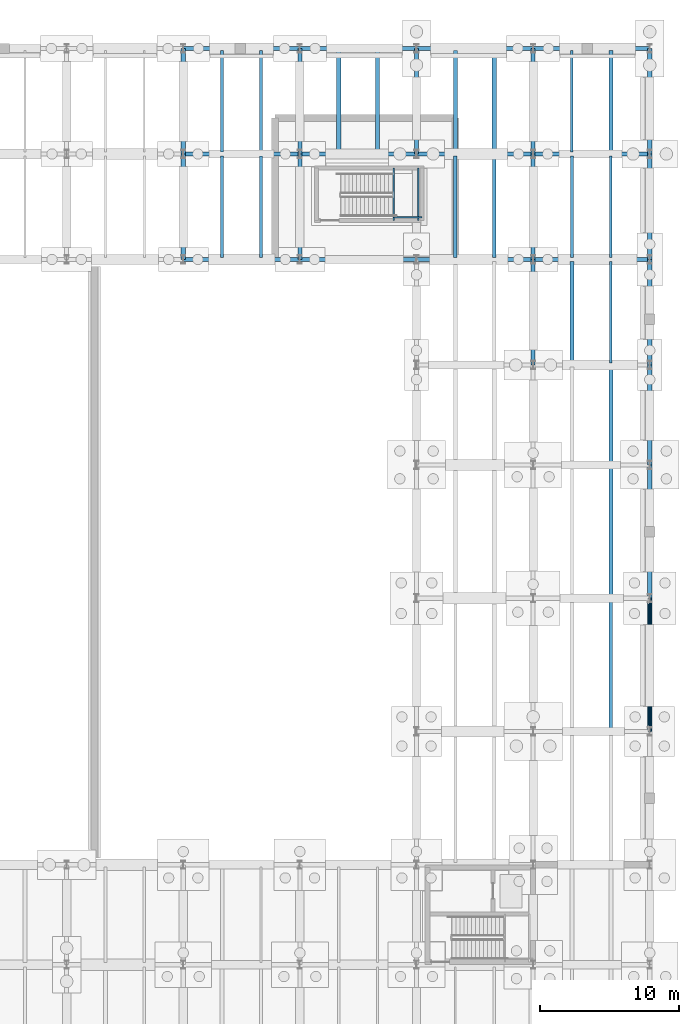
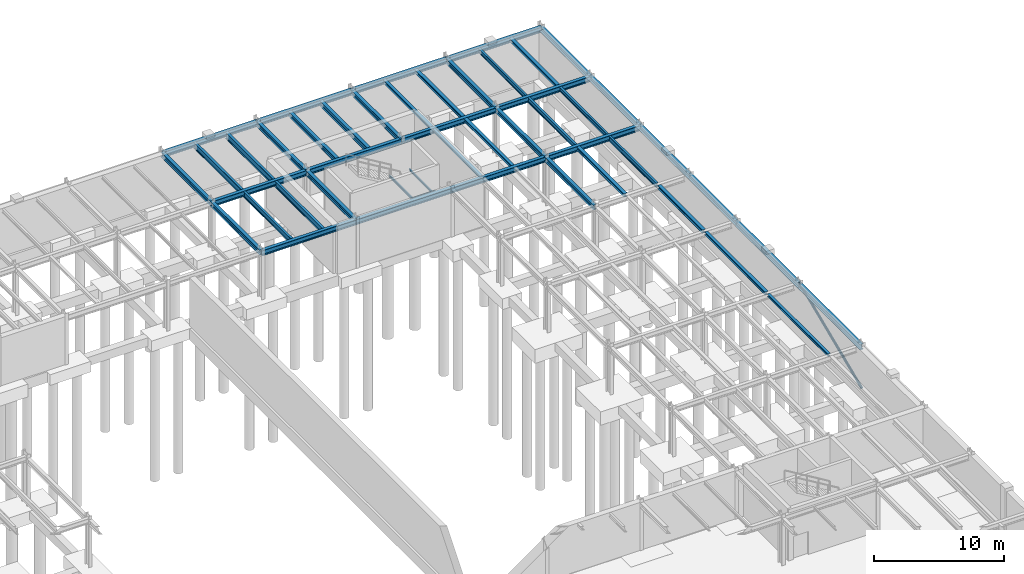
# One storey, part 37 of 59: 48 beams, 1 member.
"""IFC4 building model written with IfcOpenShell, lengths in metres."""

from ifc_helpers import new_model, si_unit, direction, frame, origin, origin_2d, place, context, subcontext, project, spatial, hollow_circle, i_section, extrude, material, material_profile, profile_set, type_object, element, save


model = new_model("IFC4")

# Units and contexts
model_context = context("Model", 3, precision=1e-05, world=origin(), true_north=direction((0.0, 1.0)))
body_context = subcontext(model_context, "Body", "Model", "MODEL_VIEW")
ifc_project = project(units=[si_unit("LENGTHUNIT", "METRE"), si_unit("AREAUNIT", "SQUARE_METRE"), si_unit("VOLUMEUNIT", "CUBIC_METRE"), si_unit("PLANEANGLEUNIT", "RADIAN"), si_unit("MASSUNIT", "GRAM", prefix="KILO")], contexts=[model_context])

# Site, building, storey
site_placement = place(None, origin())
site = spatial("IfcSite", under=ifc_project, at=site_placement, CompositionType="ELEMENT")
building_placement = place(site_placement, origin())
building = spatial("IfcBuilding", under=site, at=building_placement, Name="Montealbar Specialist Clinic", CompositionType="ELEMENT")
storey_placement = place(building_placement, frame((0.0, 0.0, -4.800048828125)))
storey = spatial("IfcBuildingStorey", under=building, at=storey_placement, Name="B01", CompositionType="ELEMENT", Elevation=-4.800048828125)

# Beams
ifc_material = material(Name="Steel S355", Category="steel")
ifc_material_profile_1 = material_profile(ifc_material, i_section(OverallWidth=0.300048828125, OverallDepth=0.449951171875, WebThickness=0.013916015625, FlangeThickness=0.02587890625, FilletRadius=0.027099609375, at=origin_2d()), Name="HEB 450", Category="steel")
ifc_profile_set_1 = profile_set([ifc_material_profile_1], Name="Steel S355")
beam_type_1 = type_object("IfcBeamType", Name="BM-GIRD-HEB450", PredefinedType="BEAM", material=ifc_profile_set_1)
beam_1_placement = place(storey_placement, frame((128.39990234375, 95.800048828125, 4.255126953125), z_axis=(0.0, 1.0, 0.0), x_axis=(-1.0, 0.0, 0.0)))
element("IfcBeam", 1, at=beam_1_placement, inside=storey, type_object=beam_type_1, Name="Beam GY-B01-1284-958-1034", PredefinedType="BEAM", context=body_context, shape_type="SweptSolid", body=[
    extrude(i_section(OverallWidth=0.300048828125, OverallDepth=0.449951171875, WebThickness=0.013916015625, FlangeThickness=0.02587890625, FilletRadius=0.027099609375, at=origin_2d()), origin(), (0.0, 0.0, 1.0), 7.599853515625),
])
beam_2_placement = place(storey_placement, frame((128.39990234375, 103.39990234375, 4.255126953125), z_axis=(0.0, 1.0, 0.0), x_axis=(-1.0, 0.0, 0.0)))
element("IfcBeam", 2, at=beam_2_placement, inside=storey, type_object=beam_type_1, Name="Beam GY-B01-1284-1034-1110", PredefinedType="BEAM", context=body_context, shape_type="SweptSolid", body=[
    extrude(i_section(OverallWidth=0.300048828125, OverallDepth=0.449951171875, WebThickness=0.013916015625, FlangeThickness=0.02587890625, FilletRadius=0.027099609375, at=origin_2d()), origin(), (0.0, 0.0, 1.0), 7.60009765625),
])
beam_3_placement = place(storey_placement, frame((136.800048828125, 95.800048828125, 4.255126953125), z_axis=(0.0, 1.0, 0.0), x_axis=(-1.0, 0.0, 0.0)))
element("IfcBeam", 3, at=beam_3_placement, inside=storey, type_object=beam_type_1, Name="Beam GY-B01-1368-958-1034", PredefinedType="BEAM", context=body_context, shape_type="SweptSolid", body=[
    extrude(i_section(OverallWidth=0.300048828125, OverallDepth=0.449951171875, WebThickness=0.013916015625, FlangeThickness=0.02587890625, FilletRadius=0.027099609375, at=origin_2d()), origin(), (0.0, 0.0, 1.0), 7.599853515625),
])
for number, where, z_axis, x_axis, name in (
    (4, (136.800048828125, 103.39990234375, 4.255126953125), (0.0, 1.0, 0.0), (-1.0, 0.0, 0.0), "Beam GY-B01-1368-1034-1110"),
    (5, (145.199951171875, 103.39990234375, 4.255126953125), (0.0, 1.0, 0.0), (-1.0, 0.0, 0.0), "Beam GY-B01-1452-1034-1110"),
    (6, (153.60009765625, 88.199951171875, 4.255126953125), (0.0, 1.0, 0.0), (-1.0, 0.0, 0.0), "Beam GY-B01-1536-882-958"),
):
    element("IfcBeam", number, at=place(storey_placement, frame(where, z_axis=z_axis, x_axis=x_axis)), inside=storey, type_object=beam_type_1, Name=name, PredefinedType="BEAM", context=body_context, shape_type="SweptSolid", body=[
        extrude(i_section(OverallWidth=0.300048828125, OverallDepth=0.449951171875, WebThickness=0.013916015625, FlangeThickness=0.02587890625, FilletRadius=0.027099609375, at=origin_2d()), origin(), (0.0, 0.0, 1.0), 7.60009765625),
    ])
beam_4_placement = place(storey_placement, frame((153.60009765625, 95.800048828125, 4.255126953125), z_axis=(0.0, 1.0, 0.0), x_axis=(-1.0, 0.0, 0.0)))
element("IfcBeam", 7, at=beam_4_placement, inside=storey, type_object=beam_type_1, Name="Beam GY-B01-1536-958-1034", PredefinedType="BEAM", context=body_context, shape_type="SweptSolid", body=[
    extrude(i_section(OverallWidth=0.300048828125, OverallDepth=0.449951171875, WebThickness=0.013916015625, FlangeThickness=0.02587890625, FilletRadius=0.027099609375, at=origin_2d()), origin(), (0.0, 0.0, 1.0), 7.599853515625),
])
beam_5_placement = place(storey_placement, frame((153.60009765625, 103.39990234375, 4.255126953125), z_axis=(0.0, 1.0, 0.0), x_axis=(-1.0, 0.0, 0.0)))
element("IfcBeam", 8, at=beam_5_placement, inside=storey, type_object=beam_type_1, Name="Beam GY-B01-1536-1034-1110", PredefinedType="BEAM", context=body_context, shape_type="SweptSolid", body=[
    extrude(i_section(OverallWidth=0.300048828125, OverallDepth=0.449951171875, WebThickness=0.013916015625, FlangeThickness=0.02587890625, FilletRadius=0.027099609375, at=origin_2d()), origin(), (0.0, 0.0, 1.0), 7.60009765625),
])
ifc_material_profile_2 = material_profile(ifc_material, i_section(OverallWidth=0.300048828125, OverallDepth=0.449951171875, WebThickness=0.013916015625, FlangeThickness=0.02587890625, FilletRadius=0.027099609375, at=origin_2d()), Name="HEB 450", Category="steel")
ifc_profile_set_2 = profile_set([ifc_material_profile_2], Name="Steel S355")
beam_type_2 = type_object("IfcBeamType", Name="BM-GIRD-HEB450-EXT", PredefinedType="BEAM", material=ifc_profile_set_2)
beam_6_placement = place(storey_placement, frame((162.0, 81.0, 4.255126953125), z_axis=(0.0, 1.0, 0.0), x_axis=(-1.0, 0.0, 0.0)))
element("IfcBeam", 9, at=beam_6_placement, inside=storey, type_object=beam_type_2, Name="Beam GY-B01-1620-810-882", PredefinedType="BEAM", context=body_context, shape_type="SweptSolid", body=[
    extrude(i_section(OverallWidth=0.300048828125, OverallDepth=0.449951171875, WebThickness=0.013916015625, FlangeThickness=0.02587890625, FilletRadius=0.027099609375, at=origin_2d()), origin(), (0.0, 0.0, 1.0), 7.199951171875),
])
beam_7_placement = place(storey_placement, frame((162.0, 88.199951171875, 4.255126953125), z_axis=(0.0, 1.0, 0.0), x_axis=(-1.0, 0.0, 0.0)))
element("IfcBeam", 10, at=beam_7_placement, inside=storey, type_object=beam_type_2, Name="Beam GY-B01-1620-882-958", PredefinedType="BEAM", context=body_context, shape_type="SweptSolid", body=[
    extrude(i_section(OverallWidth=0.300048828125, OverallDepth=0.449951171875, WebThickness=0.013916015625, FlangeThickness=0.02587890625, FilletRadius=0.027099609375, at=origin_2d()), origin(), (0.0, 0.0, 1.0), 7.60009765625),
])
beam_8_placement = place(storey_placement, frame((162.0, 95.800048828125, 4.255126953125), z_axis=(0.0, 1.0, 0.0), x_axis=(-1.0, 0.0, 0.0)))
element("IfcBeam", 11, at=beam_8_placement, inside=storey, type_object=beam_type_2, Name="Beam GY-B01-1620-958-1034", PredefinedType="BEAM", context=body_context, shape_type="SweptSolid", body=[
    extrude(i_section(OverallWidth=0.300048828125, OverallDepth=0.449951171875, WebThickness=0.013916015625, FlangeThickness=0.02587890625, FilletRadius=0.027099609375, at=origin_2d()), origin(), (0.0, 0.0, 1.0), 7.599853515625),
])
beam_9_placement = place(storey_placement, frame((162.0, 103.39990234375, 4.255126953125), z_axis=(0.0, 1.0, 0.0), x_axis=(-1.0, 0.0, 0.0)))
element("IfcBeam", 12, at=beam_9_placement, inside=storey, type_object=beam_type_2, Name="Beam GY-B01-1620-1034-1110", PredefinedType="BEAM", context=body_context, shape_type="SweptSolid", body=[
    extrude(i_section(OverallWidth=0.300048828125, OverallDepth=0.449951171875, WebThickness=0.013916015625, FlangeThickness=0.02587890625, FilletRadius=0.027099609375, at=origin_2d()), origin(), (0.0, 0.0, 1.0), 7.60009765625),
])
ifc_material_profile_3 = material_profile(ifc_material, i_section(OverallWidth=0.300048828125, OverallDepth=0.5, WebThickness=0.014404296875, FlangeThickness=0.028076171875, FilletRadius=0.027099609375, at=origin_2d()), Name="HEB 500", Category="steel")
ifc_profile_set_3 = profile_set([ifc_material_profile_3], Name="Steel S355")
beam_type_3 = type_object("IfcBeamType", Name="BM-GIRD-HEB500", PredefinedType="BEAM", material=ifc_profile_set_3)
beam_10_placement = place(storey_placement, frame((145.199951171875, 95.800048828125, 4.22998046875), z_axis=(1.0, 0.0, 0.0), x_axis=(0.0, 1.0, 0.0)))
element("IfcBeam", 13, at=beam_10_placement, inside=storey, type_object=beam_type_3, Name="Beam GX-B01-1452-1536-958", PredefinedType="BEAM", context=body_context, shape_type="SweptSolid", body=[
    extrude(i_section(OverallWidth=0.300048828125, OverallDepth=0.5, WebThickness=0.014404296875, FlangeThickness=0.028076171875, FilletRadius=0.027099609375, at=origin_2d()), origin(), (0.0, 0.0, 1.0), 8.400146484375),
])
beam_11_placement = place(storey_placement, frame((153.60009765625, 95.800048828125, 4.22998046875), z_axis=(1.0, 0.0, 0.0), x_axis=(0.0, 1.0, 0.0)))
element("IfcBeam", 14, at=beam_11_placement, inside=storey, type_object=beam_type_3, Name="Beam GX-B01-1536-1620-958", PredefinedType="BEAM", context=body_context, shape_type="SweptSolid", body=[
    extrude(i_section(OverallWidth=0.300048828125, OverallDepth=0.5, WebThickness=0.014404296875, FlangeThickness=0.028076171875, FilletRadius=0.027099609375, at=origin_2d()), origin(), (0.0, 0.0, 1.0), 8.39990234375),
])
beam_12_placement = place(storey_placement, frame((128.39990234375, 103.39990234375, 4.22998046875), z_axis=(1.0, 0.0, 0.0), x_axis=(0.0, 1.0, 0.0)))
element("IfcBeam", 15, at=beam_12_placement, inside=storey, type_object=beam_type_3, Name="Beam GX-B01-1284-1368-1034", PredefinedType="BEAM", context=body_context, shape_type="SweptSolid", body=[
    extrude(i_section(OverallWidth=0.300048828125, OverallDepth=0.5, WebThickness=0.014404296875, FlangeThickness=0.028076171875, FilletRadius=0.027099609375, at=origin_2d()), origin(), (0.0, 0.0, 1.0), 8.400146484375),
])
beam_13_placement = place(storey_placement, frame((136.800048828125, 103.39990234375, 4.22998046875), z_axis=(1.0, 0.0, 0.0), x_axis=(0.0, 1.0, 0.0)))
element("IfcBeam", 16, at=beam_13_placement, inside=storey, type_object=beam_type_3, Name="Beam GX-B01-1368-1452-1034", PredefinedType="BEAM", context=body_context, shape_type="SweptSolid", body=[
    extrude(i_section(OverallWidth=0.300048828125, OverallDepth=0.5, WebThickness=0.014404296875, FlangeThickness=0.028076171875, FilletRadius=0.027099609375, at=origin_2d()), origin(), (0.0, 0.0, 1.0), 8.39990234375),
])
beam_14_placement = place(storey_placement, frame((145.199951171875, 103.39990234375, 4.22998046875), z_axis=(1.0, 0.0, 0.0), x_axis=(0.0, 1.0, 0.0)))
element("IfcBeam", 17, at=beam_14_placement, inside=storey, type_object=beam_type_3, Name="Beam GX-B01-1452-1536-1034", PredefinedType="BEAM", context=body_context, shape_type="SweptSolid", body=[
    extrude(i_section(OverallWidth=0.300048828125, OverallDepth=0.5, WebThickness=0.014404296875, FlangeThickness=0.028076171875, FilletRadius=0.027099609375, at=origin_2d()), origin(), (0.0, 0.0, 1.0), 8.400146484375),
])
beam_15_placement = place(storey_placement, frame((153.60009765625, 103.39990234375, 4.22998046875), z_axis=(1.0, 0.0, 0.0), x_axis=(0.0, 1.0, 0.0)))
element("IfcBeam", 18, at=beam_15_placement, inside=storey, type_object=beam_type_3, Name="Beam GX-B01-1536-1620-1034", PredefinedType="BEAM", context=body_context, shape_type="SweptSolid", body=[
    extrude(i_section(OverallWidth=0.300048828125, OverallDepth=0.5, WebThickness=0.014404296875, FlangeThickness=0.028076171875, FilletRadius=0.027099609375, at=origin_2d()), origin(), (0.0, 0.0, 1.0), 8.39990234375),
])
ifc_material_profile_4 = material_profile(ifc_material, i_section(OverallWidth=0.300048828125, OverallDepth=0.5, WebThickness=0.014404296875, FlangeThickness=0.028076171875, FilletRadius=0.027099609375, at=origin_2d()), Name="HEB 500", Category="steel")
ifc_profile_set_4 = profile_set([ifc_material_profile_4], Name="Steel S355")
beam_type_4 = type_object("IfcBeamType", Name="BM-GIRD-HEB500-EXT", PredefinedType="BEAM", material=ifc_profile_set_4)
beam_16_placement = place(storey_placement, frame((128.39990234375, 95.800048828125, 4.22998046875), z_axis=(1.0, 0.0, 0.0), x_axis=(0.0, 1.0, 0.0)))
element("IfcBeam", 19, at=beam_16_placement, inside=storey, type_object=beam_type_4, Name="Beam GX-B01-1284-1368-958", PredefinedType="BEAM", context=body_context, shape_type="SweptSolid", body=[
    extrude(i_section(OverallWidth=0.300048828125, OverallDepth=0.5, WebThickness=0.014404296875, FlangeThickness=0.028076171875, FilletRadius=0.027099609375, at=origin_2d()), origin(), (0.0, 0.0, 1.0), 8.400146484375),
])
beam_17_placement = place(storey_placement, frame((136.800048828125, 95.800048828125, 4.22998046875), z_axis=(1.0, 0.0, 0.0), x_axis=(0.0, 1.0, 0.0)))
element("IfcBeam", 20, at=beam_17_placement, inside=storey, type_object=beam_type_4, Name="Beam GX-B01-1368-1452-958", PredefinedType="BEAM", context=body_context, shape_type="SweptSolid", body=[
    extrude(i_section(OverallWidth=0.300048828125, OverallDepth=0.5, WebThickness=0.014404296875, FlangeThickness=0.028076171875, FilletRadius=0.027099609375, at=origin_2d()), origin(), (0.0, 0.0, 1.0), 8.39990234375),
])
beam_18_placement = place(storey_placement, frame((128.39990234375, 111.0, 4.22998046875), z_axis=(1.0, 0.0, 0.0), x_axis=(0.0, 1.0, 0.0)))
element("IfcBeam", 21, at=beam_18_placement, inside=storey, type_object=beam_type_4, Name="Beam GX-B01-1284-1368-1110", PredefinedType="BEAM", context=body_context, shape_type="SweptSolid", body=[
    extrude(i_section(OverallWidth=0.300048828125, OverallDepth=0.5, WebThickness=0.014404296875, FlangeThickness=0.028076171875, FilletRadius=0.027099609375, at=origin_2d()), origin(), (0.0, 0.0, 1.0), 8.400146484375),
])
beam_19_placement = place(storey_placement, frame((136.800048828125, 111.0, 4.22998046875), z_axis=(1.0, 0.0, 0.0), x_axis=(0.0, 1.0, 0.0)))
element("IfcBeam", 22, at=beam_19_placement, inside=storey, type_object=beam_type_4, Name="Beam GX-B01-1368-1452-1110", PredefinedType="BEAM", context=body_context, shape_type="SweptSolid", body=[
    extrude(i_section(OverallWidth=0.300048828125, OverallDepth=0.5, WebThickness=0.014404296875, FlangeThickness=0.028076171875, FilletRadius=0.027099609375, at=origin_2d()), origin(), (0.0, 0.0, 1.0), 8.39990234375),
])
beam_20_placement = place(storey_placement, frame((145.199951171875, 111.0, 4.22998046875), z_axis=(1.0, 0.0, 0.0), x_axis=(0.0, 1.0, 0.0)))
element("IfcBeam", 23, at=beam_20_placement, inside=storey, type_object=beam_type_4, Name="Beam GX-B01-1452-1536-1110", PredefinedType="BEAM", context=body_context, shape_type="SweptSolid", body=[
    extrude(i_section(OverallWidth=0.300048828125, OverallDepth=0.5, WebThickness=0.014404296875, FlangeThickness=0.028076171875, FilletRadius=0.027099609375, at=origin_2d()), origin(), (0.0, 0.0, 1.0), 8.400146484375),
])
beam_21_placement = place(storey_placement, frame((153.60009765625, 111.0, 4.22998046875), z_axis=(1.0, 0.0, 0.0), x_axis=(0.0, 1.0, 0.0)))
element("IfcBeam", 24, at=beam_21_placement, inside=storey, type_object=beam_type_4, Name="Beam GX-B01-1536-1620-1110", PredefinedType="BEAM", context=body_context, shape_type="SweptSolid", body=[
    extrude(i_section(OverallWidth=0.300048828125, OverallDepth=0.5, WebThickness=0.014404296875, FlangeThickness=0.028076171875, FilletRadius=0.027099609375, at=origin_2d()), origin(), (0.0, 0.0, 1.0), 8.39990234375),
])
beam_22_placement = place(storey_placement, frame((162.0, 61.800048828125, 4.22998046875), z_axis=(0.0, 1.0, 0.0), x_axis=(-1.0, 0.0, 0.0)))
element("IfcBeam", 25, at=beam_22_placement, inside=storey, type_object=beam_type_4, Name="Beam GY-B01-1620-618-714", PredefinedType="BEAM", context=body_context, shape_type="SweptSolid", body=[
    extrude(i_section(OverallWidth=0.300048828125, OverallDepth=0.5, WebThickness=0.014404296875, FlangeThickness=0.028076171875, FilletRadius=0.027099609375, at=origin_2d()), origin(), (0.0, 0.0, 1.0), 9.599853515625),
])
beam_23_placement = place(storey_placement, frame((162.0, 71.39990234375, 4.22998046875), z_axis=(0.0, 1.0, 0.0), x_axis=(-1.0, 0.0, 0.0)))
element("IfcBeam", 26, at=beam_23_placement, inside=storey, type_object=beam_type_4, Name="Beam GY-B01-1620-714-810", PredefinedType="BEAM", context=body_context, shape_type="SweptSolid", body=[
    extrude(i_section(OverallWidth=0.300048828125, OverallDepth=0.5, WebThickness=0.014404296875, FlangeThickness=0.028076171875, FilletRadius=0.027099609375, at=origin_2d()), origin(), (0.0, 0.0, 1.0), 9.60009765625),
])
ifc_material_profile_5 = material_profile(ifc_material, i_section(OverallWidth=0.300048828125, OverallDepth=0.43994140625, WebThickness=0.011474609375, FlangeThickness=0.02099609375, FilletRadius=0.027099609375, at=origin_2d()), Name="HEA 450", Category="steel")
ifc_profile_set_5 = profile_set([ifc_material_profile_5], Name="Steel S355")
beam_type_5 = type_object("IfcBeamType", Name="BM-JST-HEA450", PredefinedType="JOIST", material=ifc_profile_set_5)
beam_24_placement = place(storey_placement, frame((139.60009765625, 103.550048828125, 4.260009765625), z_axis=(0.0, 1.0, 0.0), x_axis=(-1.0, 0.0, 0.0)))
element("IfcBeam", 27, at=beam_24_placement, inside=storey, type_object=beam_type_5, Name="Beam JST-B01-1396-1036-1108", PredefinedType="JOIST", context=body_context, shape_type="SweptSolid", body=[
    extrude(i_section(OverallWidth=0.300048828125, OverallDepth=0.43994140625, WebThickness=0.011474609375, FlangeThickness=0.02099609375, FilletRadius=0.027099609375, at=origin_2d()), origin(), (0.0, 0.0, 1.0), 7.300048828125),
])
ifc_material_profile_6 = material_profile(ifc_material, i_section(OverallWidth=0.300048828125, OverallDepth=0.489990234375, WebThickness=0.011962890625, FlangeThickness=0.02294921875, FilletRadius=0.027099609375, at=origin_2d()), Name="HEA 500", Category="steel")
ifc_profile_set_6 = profile_set([ifc_material_profile_6], Name="Steel S355")
beam_type_6 = type_object("IfcBeamType", Name="BM-JST-HEA500", PredefinedType="JOIST", material=ifc_profile_set_6)
beam_25_placement = place(storey_placement, frame((142.39990234375, 103.550048828125, 4.235107421875), z_axis=(0.0, 1.0, 0.0), x_axis=(-1.0, 0.0, 0.0)))
element("IfcBeam", 28, at=beam_25_placement, inside=storey, type_object=beam_type_6, Name="Beam JST-B01-1424-1036-1108", PredefinedType="JOIST", context=body_context, shape_type="SweptSolid", body=[
    extrude(i_section(OverallWidth=0.300048828125, OverallDepth=0.489990234375, WebThickness=0.011962890625, FlangeThickness=0.02294921875, FilletRadius=0.027099609375, at=origin_2d()), origin(), (0.0, 0.0, 1.0), 7.300048828125),
])
ifc_material_profile_7 = material_profile(ifc_material, i_section(OverallWidth=0.239990234375, OverallDepth=0.239990234375, WebThickness=0.010009765625, FlangeThickness=0.01708984375, FilletRadius=0.02099609375, at=origin_2d()), Name="HEB 240", Category="steel")
ifc_profile_set_7 = profile_set([ifc_material_profile_7], Name="Steel S355")
beam_type_7 = type_object("IfcBeamType", Name="BM-JST-HEB240", PredefinedType="JOIST", material=ifc_profile_set_7)
beam_26_placement = place(storey_placement, frame((148.0, 95.949951171875, 4.360107421875), z_axis=(0.0, 1.0, 0.0), x_axis=(-1.0, 0.0, 0.0)))
element("IfcBeam", 29, at=beam_26_placement, inside=storey, type_object=beam_type_7, Name="Beam JST-B01-1480-960-1032", PredefinedType="JOIST", context=body_context, shape_type="SweptSolid", body=[
    extrude(i_section(OverallWidth=0.239990234375, OverallDepth=0.239990234375, WebThickness=0.010009765625, FlangeThickness=0.01708984375, FilletRadius=0.02099609375, at=origin_2d()), origin(), (0.0, 0.0, 1.0), 7.300048828125),
])
beam_27_placement = place(storey_placement, frame((159.199951171875, 61.949951171875, 4.360107421875), z_axis=(0.0, 1.0, 0.0), x_axis=(-1.0, 0.0, 0.0)))
element("IfcBeam", 30, at=beam_27_placement, inside=storey, type_object=beam_type_7, Name="Beam JST-B01-1592-620-712", PredefinedType="JOIST", context=body_context, shape_type="SweptSolid", body=[
    extrude(i_section(OverallWidth=0.239990234375, OverallDepth=0.239990234375, WebThickness=0.010009765625, FlangeThickness=0.01708984375, FilletRadius=0.02099609375, at=origin_2d()), origin(), (0.0, 0.0, 1.0), 9.300048828125),
])
ifc_material_profile_8 = material_profile(ifc_material, i_section(OverallWidth=0.280029296875, OverallDepth=0.280029296875, WebThickness=0.010498046875, FlangeThickness=0.01806640625, FilletRadius=0.02392578125, at=origin_2d()), Name="HEB 280", Category="steel")
ifc_profile_set_8 = profile_set([ifc_material_profile_8], Name="Steel S355")
beam_type_8 = type_object("IfcBeamType", Name="BM-JST-HEB280", PredefinedType="JOIST", material=ifc_profile_set_8)
for number, where, z_axis, x_axis, name in (
    (31, (150.800048828125, 95.949951171875, 4.340087890625), (0.0, 1.0, 0.0), (-1.0, 0.0, 0.0), "Beam JST-B01-1508-960-1032"),
    (32, (148.0, 103.550048828125, 4.340087890625), (0.0, 1.0, 0.0), (-1.0, 0.0, 0.0), "Beam JST-B01-1480-1036-1108"),
):
    element("IfcBeam", number, at=place(storey_placement, frame(where, z_axis=z_axis, x_axis=x_axis)), inside=storey, type_object=beam_type_8, Name=name, PredefinedType="JOIST", context=body_context, shape_type="SweptSolid", body=[
        extrude(i_section(OverallWidth=0.280029296875, OverallDepth=0.280029296875, WebThickness=0.010498046875, FlangeThickness=0.01806640625, FilletRadius=0.02392578125, at=origin_2d()), origin(), (0.0, 0.0, 1.0), 7.300048828125),
    ])
beam_28_placement = place(storey_placement, frame((159.199951171875, 71.550048828125, 4.340087890625), z_axis=(0.0, 1.0, 0.0), x_axis=(-1.0, 0.0, 0.0)))
element("IfcBeam", 33, at=beam_28_placement, inside=storey, type_object=beam_type_8, Name="Beam JST-B01-1592-716-808", PredefinedType="JOIST", context=body_context, shape_type="SweptSolid", body=[
    extrude(i_section(OverallWidth=0.280029296875, OverallDepth=0.280029296875, WebThickness=0.010498046875, FlangeThickness=0.01806640625, FilletRadius=0.02392578125, at=origin_2d()), origin(), (0.0, 0.0, 1.0), 9.300048828125),
])
ifc_material_profile_9 = material_profile(ifc_material, i_section(OverallWidth=0.300048828125, OverallDepth=0.320068359375, WebThickness=0.011474609375, FlangeThickness=0.0205078125, FilletRadius=0.027099609375, at=origin_2d()), Name="HEB 320", Category="steel")
ifc_profile_set_9 = profile_set([ifc_material_profile_9], Name="Steel S355")
beam_type_9 = type_object("IfcBeamType", Name="BM-JST-HEB320", PredefinedType="JOIST", material=ifc_profile_set_9)
beam_29_placement = place(storey_placement, frame((150.800048828125, 103.550048828125, 4.320068359375), z_axis=(0.0, 1.0, 0.0), x_axis=(-1.0, 0.0, 0.0)))
element("IfcBeam", 34, at=beam_29_placement, inside=storey, type_object=beam_type_9, Name="Beam JST-B01-1508-1036-1108", PredefinedType="JOIST", context=body_context, shape_type="SweptSolid", body=[
    extrude(i_section(OverallWidth=0.300048828125, OverallDepth=0.320068359375, WebThickness=0.011474609375, FlangeThickness=0.0205078125, FilletRadius=0.027099609375, at=origin_2d()), origin(), (0.0, 0.0, 1.0), 7.300048828125),
])
beam_30_placement = place(storey_placement, frame((159.199951171875, 81.14990234375, 4.320068359375), z_axis=(0.0, 1.0, 0.0), x_axis=(-1.0, 0.0, 0.0)))
element("IfcBeam", 35, at=beam_30_placement, inside=storey, type_object=beam_type_9, Name="Beam JST-B01-1592-812-880", PredefinedType="JOIST", context=body_context, shape_type="SweptSolid", body=[
    extrude(i_section(OverallWidth=0.300048828125, OverallDepth=0.320068359375, WebThickness=0.011474609375, FlangeThickness=0.0205078125, FilletRadius=0.027099609375, at=origin_2d()), origin(), (0.0, 0.0, 1.0), 6.900146484375),
])
beam_31_placement = place(storey_placement, frame((156.39990234375, 88.35009765625, 4.320068359375), z_axis=(0.0, 1.0, 0.0), x_axis=(-1.0, 0.0, 0.0)))
element("IfcBeam", 36, at=beam_31_placement, inside=storey, type_object=beam_type_9, Name="Beam JST-B01-1564-884-956", PredefinedType="JOIST", context=body_context, shape_type="SweptSolid", body=[
    extrude(i_section(OverallWidth=0.300048828125, OverallDepth=0.320068359375, WebThickness=0.011474609375, FlangeThickness=0.0205078125, FilletRadius=0.027099609375, at=origin_2d()), origin(), (0.0, 0.0, 1.0), 7.2998046875),
])
ifc_material_profile_10 = material_profile(ifc_material, i_section(OverallWidth=0.199951171875, OverallDepth=0.5, WebThickness=0.01025390625, FlangeThickness=0.01611328125, FilletRadius=0.02099609375, at=origin_2d()), Name="IPE 500", Category="steel")
ifc_profile_set_10 = profile_set([ifc_material_profile_10], Name="Steel S355")
beam_type_10 = type_object("IfcBeamType", Name="BM-JST-IPE500", PredefinedType="JOIST", material=ifc_profile_set_10)
beam_32_placement = place(storey_placement, frame((131.199951171875, 95.949951171875, 4.22998046875), z_axis=(0.0, 1.0, 0.0), x_axis=(-1.0, 0.0, 0.0)))
element("IfcBeam", 37, at=beam_32_placement, inside=storey, type_object=beam_type_10, Name="Beam JST-B01-1312-960-1032", PredefinedType="JOIST", context=body_context, shape_type="SweptSolid", body=[
    extrude(i_section(OverallWidth=0.199951171875, OverallDepth=0.5, WebThickness=0.01025390625, FlangeThickness=0.01611328125, FilletRadius=0.02099609375, at=origin_2d()), origin(), (0.0, 0.0, 1.0), 7.300048828125),
])
ifc_material_profile_11 = material_profile(ifc_material, i_section(OverallWidth=0.2099609375, OverallDepth=0.550048828125, WebThickness=0.010986328125, FlangeThickness=0.01708984375, FilletRadius=0.02392578125, at=origin_2d()), Name="IPE 550", Category="steel")
ifc_profile_set_11 = profile_set([ifc_material_profile_11], Name="Steel S355")
beam_type_11 = type_object("IfcBeamType", Name="BM-JST-IPE550", PredefinedType="JOIST", material=ifc_profile_set_11)
for number, where, z_axis, x_axis, name in (
    (38, (134.0, 95.949951171875, 4.205078125), (0.0, 1.0, 0.0), (-1.0, 0.0, 0.0), "Beam JST-B01-1340-960-1032"),
    (39, (131.199951171875, 103.550048828125, 4.205078125), (0.0, 1.0, 0.0), (-1.0, 0.0, 0.0), "Beam JST-B01-1312-1036-1108"),
):
    element("IfcBeam", number, at=place(storey_placement, frame(where, z_axis=z_axis, x_axis=x_axis)), inside=storey, type_object=beam_type_11, Name=name, PredefinedType="JOIST", context=body_context, shape_type="SweptSolid", body=[
        extrude(i_section(OverallWidth=0.2099609375, OverallDepth=0.550048828125, WebThickness=0.010986328125, FlangeThickness=0.01708984375, FilletRadius=0.02392578125, at=origin_2d()), origin(), (0.0, 0.0, 1.0), 7.300048828125),
    ])
ifc_material_profile_12 = material_profile(ifc_material, i_section(OverallWidth=0.219970703125, OverallDepth=0.60009765625, WebThickness=0.011962890625, FlangeThickness=0.01904296875, FilletRadius=0.02392578125, at=origin_2d()), Name="IPE 600", Category="steel")
ifc_profile_set_12 = profile_set([ifc_material_profile_12], Name="Steel S355")
beam_type_12 = type_object("IfcBeamType", Name="BM-JST-IPE600", PredefinedType="JOIST", material=ifc_profile_set_12)
beam_33_placement = place(storey_placement, frame((134.0, 103.550048828125, 4.179931640625), z_axis=(0.0, 1.0, 0.0), x_axis=(-1.0, 0.0, 0.0)))
element("IfcBeam", 40, at=beam_33_placement, inside=storey, type_object=beam_type_12, Name="Beam JST-B01-1340-1036-1108", PredefinedType="JOIST", context=body_context, shape_type="SweptSolid", body=[
    extrude(i_section(OverallWidth=0.219970703125, OverallDepth=0.60009765625, WebThickness=0.011962890625, FlangeThickness=0.01904296875, FilletRadius=0.02392578125, at=origin_2d()), origin(), (0.0, 0.0, 1.0), 7.300048828125),
])
ifc_material_profile_13 = material_profile(ifc_material, i_section(OverallWidth=0.10009765625, OverallDepth=0.199951171875, WebThickness=0.005615234375, FlangeThickness=0.008544921875, FilletRadius=0.011962890625, at=origin_2d()), Name="IPE 200", Category="steel")
ifc_profile_set_13 = profile_set([ifc_material_profile_13], Name="Steel S355")
beam_type_13 = type_object("IfcBeamType", Name="BM-LINT-IPE200", PredefinedType="LINTEL", material=ifc_profile_set_13)
for number, where, z_axis, x_axis, name in (
    (41, (143.574951171875, 98.60009765625, 2.10009765625), (0.0, 1.0, 0.0), (-1.0, 0.0, 0.0), "Core C7 Stair Landing Beam B01 W"),
    (42, (145.330078125, 98.60009765625, 2.10009765625), (0.0, 1.0, 0.0), (-1.0, 0.0, 0.0), "Core C7 Stair Landing Beam B01 E"),
):
    element("IfcBeam", number, at=place(storey_placement, frame(where, z_axis=z_axis, x_axis=x_axis)), inside=storey, type_object=beam_type_13, Name=name, PredefinedType="LINTEL", context=body_context, shape_type="SweptSolid", body=[
        extrude(i_section(OverallWidth=0.10009765625, OverallDepth=0.199951171875, WebThickness=0.005615234375, FlangeThickness=0.008544921875, FilletRadius=0.011962890625, at=origin_2d()), origin(), (0.0, 0.0, 1.0), 3.7998046875),
    ])
beam_34_placement = place(storey_placement, frame((143.574951171875, 98.85009765625, 2.10009765625), z_axis=(1.0, 0.0, 0.0), x_axis=(0.0, 1.0, 0.0)))
element("IfcBeam", 43, at=beam_34_placement, inside=storey, type_object=beam_type_13, Name="Core C7 Stair Landing Tie Beam B01", PredefinedType="LINTEL", context=body_context, shape_type="SweptSolid", body=[
    extrude(i_section(OverallWidth=0.10009765625, OverallDepth=0.199951171875, WebThickness=0.005615234375, FlangeThickness=0.008544921875, FilletRadius=0.011962890625, at=origin_2d()), origin(), (0.0, 0.0, 1.0), 2.025146484375),
])
ifc_material_profile_14 = material_profile(ifc_material, i_section(OverallWidth=0.179931640625, OverallDepth=0.39990234375, WebThickness=0.008544921875, FlangeThickness=0.013427734375, FilletRadius=0.02099609375, at=origin_2d()), Name="IPE 400", Category="steel")
ifc_profile_set_14 = profile_set([ifc_material_profile_14], Name="Steel S355")
beam_type_14 = type_object("IfcBeamType", Name="BM-SEC-IPE400", PredefinedType="BEAM", material=ifc_profile_set_14)
for number, where, z_axis, x_axis, name in (
    (44, (159.199951171875, 95.949951171875, 4.280029296875), (0.0, 1.0, 0.0), (-1.0, 0.0, 0.0), "Beam JST-B01-1592-960-1032"),
    (45, (156.39990234375, 103.550048828125, 4.280029296875), (0.0, 1.0, 0.0), (-1.0, 0.0, 0.0), "Beam JST-B01-1564-1036-1108"),
):
    element("IfcBeam", number, at=place(storey_placement, frame(where, z_axis=z_axis, x_axis=x_axis)), inside=storey, type_object=beam_type_14, Name=name, PredefinedType="BEAM", context=body_context, shape_type="SweptSolid", body=[
        extrude(i_section(OverallWidth=0.179931640625, OverallDepth=0.39990234375, WebThickness=0.008544921875, FlangeThickness=0.013427734375, FilletRadius=0.02099609375, at=origin_2d()), origin(), (0.0, 0.0, 1.0), 7.300048828125),
    ])
ifc_material_profile_15 = material_profile(ifc_material, i_section(OverallWidth=0.18994140625, OverallDepth=0.449951171875, WebThickness=0.009521484375, FlangeThickness=0.0146484375, FilletRadius=0.02099609375, at=origin_2d()), Name="IPE 450", Category="steel")
ifc_profile_set_15 = profile_set([ifc_material_profile_15], Name="Steel S355")
beam_type_15 = type_object("IfcBeamType", Name="BM-SEC-IPE450", PredefinedType="BEAM", material=ifc_profile_set_15)
beam_35_placement = place(storey_placement, frame((159.199951171875, 88.35009765625, 4.255126953125), z_axis=(0.0, 1.0, 0.0), x_axis=(-1.0, 0.0, 0.0)))
element("IfcBeam", 46, at=beam_35_placement, inside=storey, type_object=beam_type_15, Name="Beam JST-B01-1592-884-956", PredefinedType="BEAM", context=body_context, shape_type="SweptSolid", body=[
    extrude(i_section(OverallWidth=0.18994140625, OverallDepth=0.449951171875, WebThickness=0.009521484375, FlangeThickness=0.0146484375, FilletRadius=0.02099609375, at=origin_2d()), origin(), (0.0, 0.0, 1.0), 7.2998046875),
])
beam_36_placement = place(storey_placement, frame((156.39990234375, 95.949951171875, 4.255126953125), z_axis=(0.0, 1.0, 0.0), x_axis=(-1.0, 0.0, 0.0)))
element("IfcBeam", 47, at=beam_36_placement, inside=storey, type_object=beam_type_15, Name="Beam JST-B01-1564-960-1032", PredefinedType="BEAM", context=body_context, shape_type="SweptSolid", body=[
    extrude(i_section(OverallWidth=0.18994140625, OverallDepth=0.449951171875, WebThickness=0.009521484375, FlangeThickness=0.0146484375, FilletRadius=0.02099609375, at=origin_2d()), origin(), (0.0, 0.0, 1.0), 7.300048828125),
])
ifc_material_profile_16 = material_profile(ifc_material, i_section(OverallWidth=0.300048828125, OverallDepth=0.2900390625, WebThickness=0.008544921875, FlangeThickness=0.013916015625, FilletRadius=0.027099609375, at=origin_2d()), Name="HEA 300", Category="steel")
ifc_profile_set_16 = profile_set([ifc_material_profile_16], Name="Steel S355")
beam_type_16 = type_object("IfcBeamType", Name="BM-SPAND-HEA300", PredefinedType="SPANDREL", material=ifc_profile_set_16)
beam_37_placement = place(storey_placement, frame((159.199951171875, 103.550048828125, 4.3349609375), z_axis=(0.0, 1.0, 0.0), x_axis=(-1.0, 0.0, 0.0)))
element("IfcBeam", 48, at=beam_37_placement, inside=storey, type_object=beam_type_16, Name="Beam JST-B01-1592-1036-1108", PredefinedType="SPANDREL", context=body_context, shape_type="SweptSolid", body=[
    extrude(i_section(OverallWidth=0.300048828125, OverallDepth=0.2900390625, WebThickness=0.008544921875, FlangeThickness=0.013916015625, FilletRadius=0.027099609375, at=origin_2d()), origin(), (0.0, 0.0, 1.0), 7.300048828125),
])

# Member
ifc_material_profile_17 = material_profile(ifc_material, hollow_circle(Radius=0.109619140625, WallThickness=0.010009765625, at=origin_2d()), Name="CHS 219.1x10.0", Category="steel")
ifc_profile_set_17 = profile_set([ifc_material_profile_17], Name="Steel S355")
member_type = type_object("IfcMemberType", Name="MB-LAT-BRACE-B-EXT", PredefinedType="BRACE", material=ifc_profile_set_17)
member_placement = place(storey_placement, frame((162.0, 61.800048828125, 0.380126953125), z_axis=(0.0, 0.920679710972, 0.390318933443), x_axis=(-1.0, 0.0, 0.0)))
element("IfcMember", 49, at=member_placement, inside=storey, type_object=member_type, Name="Lateral frame brace LB-04", PredefinedType="BRACE", context=body_context, shape_type="SweptSolid", body=[
    extrude(hollow_circle(Radius=0.109619140625, WallThickness=0.010009765625, at=origin_2d()), origin(), (0.0, 0.0, 1.0), 10.427001953125),
])

save(model, "model.ifc")
